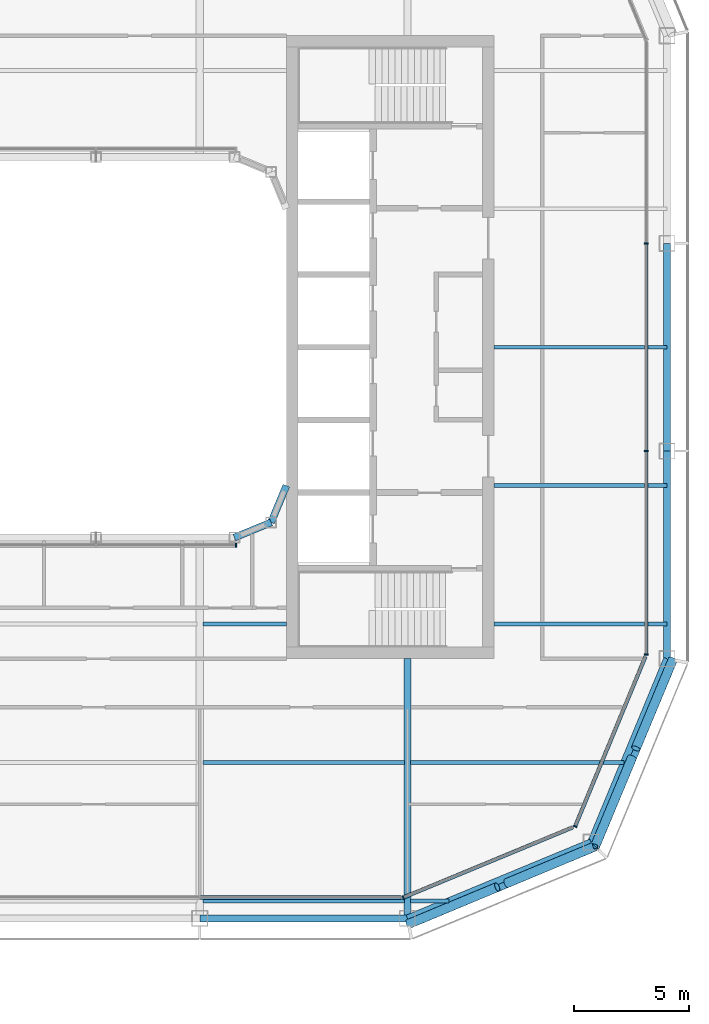
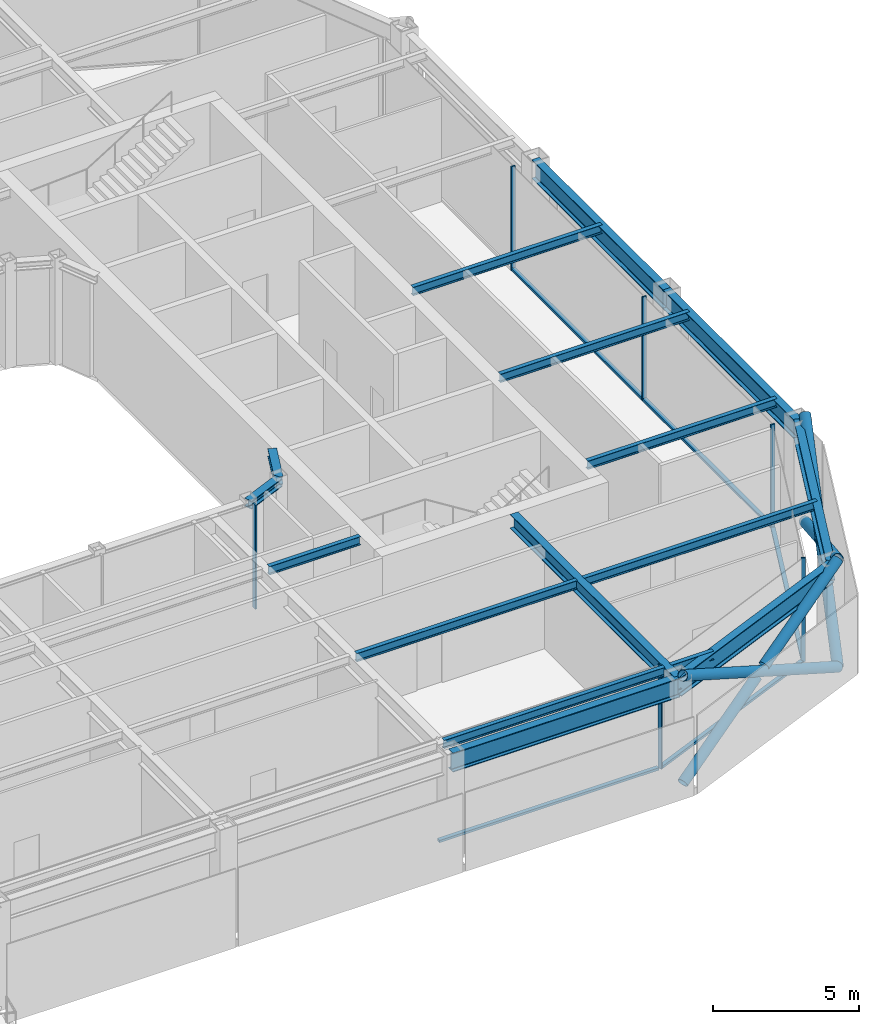
# One storey, part 6 of 21: 17 members, 16 beams, 5 elements without a shape of their own.
"""IFC4 building model written with IfcOpenShell, lengths in metres."""

from ifc_helpers import new_model, si_unit, direction, frame, origin, origin_2d, place, context, subcontext, project, spatial, rectangle, hollow_circle, i_section, extrude, material, layer, layer_set, material_profile, profile_set, type_object, element, aggregate, save


model = new_model("IFC4")

# Units and contexts
model_context = context("Model", 3, precision=1e-05, world=origin(), true_north=direction((0.0, 1.0)))
body_context = subcontext(model_context, "Body", "Model", "MODEL_VIEW")
ifc_project = project(units=[si_unit("LENGTHUNIT", "METRE"), si_unit("AREAUNIT", "SQUARE_METRE"), si_unit("VOLUMEUNIT", "CUBIC_METRE"), si_unit("PLANEANGLEUNIT", "RADIAN"), si_unit("MASSUNIT", "GRAM", prefix="KILO")], contexts=[model_context])

# Site, building, storey
site_placement = place(None, origin())
site = spatial("IfcSite", under=ifc_project, at=site_placement, CompositionType="ELEMENT")
building_placement = place(site_placement, origin())
building = spatial("IfcBuilding", under=site, at=building_placement, Name="Siwar Civic Tower", CompositionType="ELEMENT")
storey_placement = place(building_placement, frame((0.0, 0.0, 334.699951171875)))
storey = spatial("IfcBuildingStorey", under=building, at=storey_placement, Name="L72", CompositionType="ELEMENT", Elevation=334.699951171875)

# Curtain wall, member
ifc_material_1 = material(Name="Aluminium clad insulated panel", Category="aluminium")
ifc_layer_1 = layer(ifc_material_1, 0.159912109375)
ifc_layer_set_1 = layer_set([ifc_layer_1], Name="Aluminium clad insulated panel")
curtain_wall_type_1 = type_object("IfcCurtainWallType", Name="ENV-CW-DX", PredefinedType="NOTDEFINED", material=ifc_layer_set_1)
curtain_wall_1_placement = place(storey_placement, origin())
curtain_wall_1 = element("IfcCurtainWall", 1, at=curtain_wall_1_placement, inside=storey, type_object=curtain_wall_type_1, Name="Curtain wall D SE1", PredefinedType="NOTDEFINED")
ifc_material_2 = material(Name="Aluminium 6063-T6", Category="aluminium")
ifc_material_profile_1 = material_profile(ifc_material_2, rectangle(XDim=0.159912109375, YDim=0.06005859375, at=origin_2d()), Name="AL 160x60")
ifc_profile_set_1 = profile_set([ifc_material_profile_1], Name="Aluminium 6063-T6")
member_type_1 = type_object("IfcMemberType", Name="ENV-MULLION-D", PredefinedType="MULLION", material=ifc_profile_set_1)
member_1_placement = place(storey_placement, frame((13.321044921875, -23.85009765625, 0.0), z_axis=(0.0, 0.0, 1.0), x_axis=(-0.382683432365, 0.923879532511, 0.0)))
member_1 = element("IfcMember", 2, at=member_1_placement, type_object=member_type_1, Name="Mullion D SE1 1", PredefinedType="MULLION", context=body_context, shape_type="SweptSolid", body=[
    extrude(rectangle(XDim=0.159912109375, YDim=0.06005859375, at=origin_2d()), origin(), (0.0, 0.0, 1.0), 4.35009765625),
])

curtain_wall_2_placement = place(storey_placement, origin())
curtain_wall_2 = element("IfcCurtainWall", 3, at=curtain_wall_2_placement, inside=storey, type_object=curtain_wall_type_1, Name="Curtain wall D SE2", PredefinedType="NOTDEFINED")
member_2_placement = place(storey_placement, frame((20.76611328125, -20.76611328125, 0.0), z_axis=(0.0, 0.0, 1.0), x_axis=(-0.923879532511, 0.382683432365, 0.0)))
member_2 = element("IfcMember", 4, at=member_2_placement, type_object=member_type_1, Name="Mullion D SE2 1", PredefinedType="MULLION", context=body_context, shape_type="SweptSolid", body=[
    extrude(rectangle(XDim=0.159912109375, YDim=0.06005859375, at=origin_2d()), origin(), (0.0, 0.0, 1.0), 4.35009765625),
])

# Curtain wall, members
ifc_material_3 = material(Name="Aluminium and glass", Category="aluminium")
ifc_layer_2 = layer(ifc_material_3, 0.159912109375)
ifc_layer_set_2 = layer_set([ifc_layer_2], Name="Aluminium and glass")
curtain_wall_type_2 = type_object("IfcCurtainWallType", Name="ENV-CW-D", PredefinedType="NOTDEFINED", material=ifc_layer_set_2)
curtain_wall_3_placement = place(storey_placement, origin())
curtain_wall_3 = element("IfcCurtainWall", 5, at=curtain_wall_3_placement, inside=storey, type_object=curtain_wall_type_2, Name="Curtain wall D E", PredefinedType="NOTDEFINED")
member_3_placement = place(storey_placement, frame((23.85009765625, -13.321044921875, 0.0), z_axis=(0.0, 0.0, 1.0), x_axis=(-1.0, 0.0, 0.0)))
member_3 = element("IfcMember", 6, at=member_3_placement, type_object=member_type_1, Name="Mullion D E 1", PredefinedType="MULLION", context=body_context, shape_type="SweptSolid", body=[
    extrude(rectangle(XDim=0.159912109375, YDim=0.06005859375, at=origin_2d()), origin(), (0.0, 0.0, 1.0), 4.35009765625),
])
member_4_placement = place(storey_placement, frame((23.85009765625, -4.5, 0.0), z_axis=(0.0, 0.0, 1.0), x_axis=(-1.0, 0.0, 0.0)))
member_4 = element("IfcMember", 7, at=member_4_placement, type_object=member_type_1, Name="Mullion D E 2", PredefinedType="MULLION", context=body_context, shape_type="SweptSolid", body=[
    extrude(rectangle(XDim=0.159912109375, YDim=0.06005859375, at=origin_2d()), origin(), (0.0, 0.0, 1.0), 4.35009765625),
])
member_5_placement = place(storey_placement, frame((23.85009765625, 4.5, 0.0), z_axis=(0.0, 0.0, 1.0), x_axis=(-1.0, 0.0, 0.0)))
member_5 = element("IfcMember", 8, at=member_5_placement, type_object=member_type_1, Name="Mullion D E 3", PredefinedType="MULLION", context=body_context, shape_type="SweptSolid", body=[
    extrude(rectangle(XDim=0.159912109375, YDim=0.06005859375, at=origin_2d()), origin(), (0.0, 0.0, 1.0), 4.35009765625),
])

# Curtain wall, member
ifc_material_4 = material(Name="Aluminium and glass", Category="aluminium")
ifc_layer_3 = layer(ifc_material_4, 0.179931640625)
ifc_layer_set_3 = layer_set([ifc_layer_3], Name="Aluminium and glass")
curtain_wall_type_3 = type_object("IfcCurtainWallType", Name="ENV-CW-W", PredefinedType="NOTDEFINED", material=ifc_layer_set_3)
curtain_wall_4_placement = place(storey_placement, origin())
curtain_wall_4 = element("IfcCurtainWall", 9, at=curtain_wall_4_placement, inside=storey, type_object=curtain_wall_type_3, Name="Curtain wall W WS", PredefinedType="NOTDEFINED")
ifc_material_5 = material(Name="Aluminium 6063-T6", Category="aluminium")
ifc_material_profile_2 = material_profile(ifc_material_5, rectangle(XDim=0.179931640625, YDim=0.06005859375, at=origin_2d()), Name="AL 180x60")
ifc_profile_set_2 = profile_set([ifc_material_profile_2], Name="Aluminium 6063-T6")
member_type_2 = type_object("IfcMemberType", Name="ENV-MULLION-W", PredefinedType="MULLION", material=ifc_profile_set_2)
member_6_placement = place(storey_placement, frame((6.066650390625, -8.5849609375, 0.0), z_axis=(0.0, 0.0, 1.0), x_axis=(0.0, 1.0, 0.0)))
member_6 = element("IfcMember", 10, at=member_6_placement, type_object=member_type_2, Name="Mullion W WS 3", PredefinedType="MULLION", context=body_context, shape_type="SweptSolid", body=[
    extrude(rectangle(XDim=0.179931640625, YDim=0.06005859375, at=origin_2d()), origin(), (0.0, 0.0, 1.0), 4.35009765625),
])
aggregate(curtain_wall_4, [member_6])

curtain_wall_5_placement = place(storey_placement, origin())
curtain_wall_5 = element("IfcCurtainWall", 11, at=curtain_wall_5_placement, inside=storey, type_object=curtain_wall_type_2, Name="Curtain wall D S", PredefinedType="NOTDEFINED")
ifc_material_6 = material(Name="Aluminium 6063-T6", Category="aluminium")
ifc_material_profile_3 = material_profile(ifc_material_6, rectangle(XDim=0.159912109375, YDim=0.10009765625, at=origin_2d()), Name="AL 160x100")
ifc_profile_set_3 = profile_set([ifc_material_profile_3], Name="Aluminium 6063-T6")
member_type_3 = type_object("IfcMemberType", Name="ENV-TRANSOM-D", PredefinedType="USERDEFINED", material=ifc_profile_set_3)
member_7_placement = place(storey_placement, frame((4.530029296875, -23.85009765625, 0.050048828125), z_axis=(1.0, 0.0, 0.0), x_axis=(0.0, 1.0, 0.0)))
member_7 = element("IfcMember", 12, at=member_7_placement, type_object=member_type_3, Name="Transom D S 3", ObjectType="TRANSOM", PredefinedType="USERDEFINED", context=body_context, shape_type="SweptSolid", body=[
    extrude(rectangle(XDim=0.159912109375, YDim=0.10009765625, at=origin_2d()), origin(), (0.0, 0.0, 1.0), 8.693115234375),
])
aggregate(curtain_wall_5, [member_7])

# Member
member_8_placement = place(storey_placement, frame((13.3486328125, -23.838623046875, 0.050048828125), z_axis=(0.923872756612, 0.382699790424, 0.0), x_axis=(-0.382699790424, 0.923872756612, 0.0)))
member_8 = element("IfcMember", 13, at=member_8_placement, type_object=member_type_3, Name="Transom D SE1 1", ObjectType="TRANSOM", PredefinedType="USERDEFINED", context=body_context, shape_type="SweptSolid", body=[
    extrude(rectangle(XDim=0.159912109375, YDim=0.10009765625, at=origin_2d()), origin(), (0.0, 0.0, 1.0), 7.930908203125),
])

aggregate(curtain_wall_1, [member_1, member_8])

member_9_placement = place(storey_placement, frame((20.777587890625, -20.738525390625, 0.050048828125), z_axis=(0.382673515031, 0.923883640343, 0.0), x_axis=(-0.923883640343, 0.382673515031, 0.0)))
member_9 = element("IfcMember", 14, at=member_9_placement, type_object=member_type_3, Name="Transom D SE2 1", ObjectType="TRANSOM", PredefinedType="USERDEFINED", context=body_context, shape_type="SweptSolid", body=[
    extrude(rectangle(XDim=0.159912109375, YDim=0.10009765625, at=origin_2d()), origin(), (0.0, 0.0, 1.0), 7.930908203125),
])

aggregate(curtain_wall_2, [member_2, member_9])

member_10_placement = place(storey_placement, frame((23.85009765625, -13.291015625, 0.050048828125), z_axis=(0.0, 1.0, 0.0), x_axis=(-1.0, 0.0, 0.0)))
member_10 = element("IfcMember", 15, at=member_10_placement, type_object=member_type_3, Name="Transom D E 1", ObjectType="TRANSOM", PredefinedType="USERDEFINED", context=body_context, shape_type="SweptSolid", body=[
    extrude(rectangle(XDim=0.159912109375, YDim=0.10009765625, at=origin_2d()), origin(), (0.0, 0.0, 1.0), 8.760986328125),
])

member_11_placement = place(storey_placement, frame((23.85009765625, -4.469970703125, 0.050048828125), z_axis=(0.0, 1.0, 0.0), x_axis=(-1.0, 0.0, 0.0)))
member_11 = element("IfcMember", 16, at=member_11_placement, type_object=member_type_3, Name="Transom D E 2", ObjectType="TRANSOM", PredefinedType="USERDEFINED", context=body_context, shape_type="SweptSolid", body=[
    extrude(rectangle(XDim=0.159912109375, YDim=0.10009765625, at=origin_2d()), origin(), (0.0, 0.0, 1.0), 8.93994140625),
])

aggregate(curtain_wall_3, [member_3, member_4, member_5, member_10, member_11])

# Members
ifc_material_7 = material(Name="Steel S355", Category="steel")
ifc_material_profile_4 = material_profile(ifc_material_7, hollow_circle(Radius=0.203125, WallThickness=0.01611328125, at=origin_2d()), Name="CHS406.4x16")
ifc_profile_set_4 = profile_set([ifc_material_profile_4], Name="Steel S355")
member_type_4 = type_object("IfcMemberType", Name="STR-BR-CHS406.4x16", PredefinedType="BRACE", material=ifc_profile_set_4)
member_12_placement = place(storey_placement, frame((21.6318359375, -21.6318359375, 0.0), z_axis=(0.341671493852, 0.821142553604, 0.457149315816), x_axis=(-0.923264922524, 0.384163874976, 0.0)))
element("IfcMember", 17, at=member_12_placement, inside=storey, type_object=member_type_4, Name="L72/brc/DSE1-11-0-1", PredefinedType="BRACE", context=body_context, shape_type="SweptSolid", body=[
    extrude(hollow_circle(Radius=0.203125, WallThickness=0.01611328125, at=origin_2d()), origin(), (0.0, 0.0, 1.0), 9.843505859375),
])
for number, where, z_axis, x_axis, name in (
    (18, (24.9951171875, -13.548828125, 0.0), (-0.341659024948, -0.821130093572, 0.45718101459), (0.923267827529, -0.384156893273, 0.0), "L72/brc/DSE1-11-0-2"),
    (19, (23.229736328125, -17.791259765625, 2.362060546875), (-0.341652533125, -0.821166691915, 0.457120127208), (0.923276488787, -0.38413607648, 0.0), "L72/brc/DSE1-11-0-3"),
):
    element("IfcMember", number, at=place(storey_placement, frame(where, z_axis=z_axis, x_axis=x_axis)), inside=storey, type_object=member_type_4, Name=name, PredefinedType="BRACE", context=body_context, shape_type="SweptSolid", body=[
        extrude(hollow_circle(Radius=0.203125, WallThickness=0.01611328125, at=origin_2d()), origin(), (0.0, 0.0, 1.0), 4.677001953125),
    ])
member_13_placement = place(storey_placement, frame((21.6318359375, -21.6318359375, 0.0), z_axis=(-0.821142553604, -0.341671493852, 0.457149315816), x_axis=(0.384163874976, -0.923264922524, 0.0)))
element("IfcMember", 20, at=member_13_placement, inside=storey, type_object=member_type_4, Name="L72/brc/DSE1-11-0-0", PredefinedType="BRACE", context=body_context, shape_type="SweptSolid", body=[
    extrude(hollow_circle(Radius=0.203125, WallThickness=0.01611328125, at=origin_2d()), origin(), (0.0, 0.0, 1.0), 9.843505859375),
])
for number, where, z_axis, x_axis, name in (
    (21, (13.548828125, -24.9951171875, 0.0), (0.821130093572, 0.341659024948, 0.45718101459), (-0.384156893273, 0.923267827529, 0.0), "L72/brc/DSE1-11-0-4"),
    (22, (17.791259765625, -23.229736328125, 2.362060546875), (0.821166691915, 0.341652533125, 0.457120127208), (-0.38413607648, 0.923276488787, 0.0), "L72/brc/DSE1-11-0-5"),
):
    element("IfcMember", number, at=place(storey_placement, frame(where, z_axis=z_axis, x_axis=x_axis)), inside=storey, type_object=member_type_4, Name=name, PredefinedType="BRACE", context=body_context, shape_type="SweptSolid", body=[
        extrude(hollow_circle(Radius=0.203125, WallThickness=0.01611328125, at=origin_2d()), origin(), (0.0, 0.0, 1.0), 4.677001953125),
    ])

# Beams
ifc_material_8 = material(Name="Steel S355", Category="steel")
ifc_material_profile_5 = material_profile(ifc_material_8, i_section(OverallWidth=0.169921875, OverallDepth=0.360107421875, WebThickness=0.008056640625, FlangeThickness=0.0126953125, FilletRadius=0.01806640625, at=origin_2d()), Name="IPE360")
ifc_profile_set_5 = profile_set([ifc_material_profile_5], Name="Steel S355")
beam_type_1 = type_object("IfcBeamType", Name="STR-FB-IPE360", PredefinedType="JOIST", material=ifc_profile_set_5)
beam_1_placement = place(storey_placement, frame((4.6298828125, -24.0, 4.170166015625), z_axis=(1.0, 0.0, 0.0), x_axis=(0.0, 1.0, 0.0)))
element("IfcBeam", 23, at=beam_1_placement, inside=storey, type_object=beam_type_1, Name="L72/bm/F004", PredefinedType="JOIST", context=body_context, shape_type="SweptSolid", body=[
    extrude(i_section(OverallWidth=0.169921875, OverallDepth=0.360107421875, WebThickness=0.008056640625, FlangeThickness=0.0126953125, FilletRadius=0.01806640625, at=origin_2d()), origin(), (0.0, 0.0, 1.0), 8.740234375),
])
beam_2_placement = place(storey_placement, frame((13.6298828125, -24.0, 4.170166015625), z_axis=(1.0, 0.0, 0.0), x_axis=(0.0, 1.0, 0.0)))
element("IfcBeam", 24, at=beam_2_placement, inside=storey, type_object=beam_type_1, Name="L72/bm/F005", PredefinedType="JOIST", context=body_context, shape_type="SweptSolid", body=[
    extrude(i_section(OverallWidth=0.169921875, OverallDepth=0.360107421875, WebThickness=0.008056640625, FlangeThickness=0.0126953125, FilletRadius=0.01806640625, at=origin_2d()), origin(), (0.0, 0.0, 1.0), 1.6806640625),
])
beam_3_placement = place(storey_placement, frame((4.6298828125, -18.0, 4.170166015625), z_axis=(1.0, 0.0, 0.0), x_axis=(0.0, 1.0, 0.0)))
element("IfcBeam", 25, at=beam_3_placement, inside=storey, type_object=beam_type_1, Name="L72/bm/F009", PredefinedType="JOIST", context=body_context, shape_type="SweptSolid", body=[
    extrude(i_section(OverallWidth=0.169921875, OverallDepth=0.360107421875, WebThickness=0.008056640625, FlangeThickness=0.0126953125, FilletRadius=0.01806640625, at=origin_2d()), origin(), (0.0, 0.0, 1.0), 8.740234375),
])
beam_4_placement = place(storey_placement, frame((13.6298828125, -18.0, 4.170166015625), z_axis=(1.0, 0.0, 0.0), x_axis=(0.0, 1.0, 0.0)))
element("IfcBeam", 26, at=beam_4_placement, inside=storey, type_object=beam_type_1, Name="L72/bm/F010", PredefinedType="JOIST", context=body_context, shape_type="SweptSolid", body=[
    extrude(i_section(OverallWidth=0.169921875, OverallDepth=0.360107421875, WebThickness=0.008056640625, FlangeThickness=0.0126953125, FilletRadius=0.01806640625, at=origin_2d()), origin(), (0.0, 0.0, 1.0), 9.256103515625),
])
beam_5_placement = place(storey_placement, frame((4.6298828125, -12.0, 4.170166015625), z_axis=(1.0, 0.0, 0.0), x_axis=(0.0, 1.0, 0.0)))
element("IfcBeam", 27, at=beam_5_placement, inside=storey, type_object=beam_type_1, Name="L72/bm/F014", PredefinedType="JOIST", context=body_context, shape_type="SweptSolid", body=[
    extrude(i_section(OverallWidth=0.169921875, OverallDepth=0.360107421875, WebThickness=0.008056640625, FlangeThickness=0.0126953125, FilletRadius=0.01806640625, at=origin_2d()), origin(), (0.0, 0.0, 1.0), 3.6201171875),
])
for number, where, z_axis, x_axis, name in (
    (28, (17.25, -12.0, 4.170166015625), (1.0, 0.0, 0.0), (0.0, 1.0, 0.0), "L72/bm/F015"),
    (29, (17.25, -6.0, 4.170166015625), (1.0, 0.0, 0.0), (0.0, 1.0, 0.0), "L72/bm/F017"),
    (30, (17.25, 0.0, 4.170166015625), (1.0, 0.0, 0.0), (0.0, 1.0, 0.0), "L72/bm/F019"),
):
    element("IfcBeam", number, at=place(storey_placement, frame(where, z_axis=z_axis, x_axis=x_axis)), inside=storey, type_object=beam_type_1, Name=name, PredefinedType="JOIST", context=body_context, shape_type="SweptSolid", body=[
        extrude(i_section(OverallWidth=0.169921875, OverallDepth=0.360107421875, WebThickness=0.008056640625, FlangeThickness=0.0126953125, FilletRadius=0.01806640625, at=origin_2d()), origin(), (0.0, 0.0, 1.0), 7.5),
    ])
ifc_material_9 = material(Name="Steel S355", Category="steel")
ifc_material_profile_6 = material_profile(ifc_material_9, i_section(OverallWidth=0.300048828125, OverallDepth=0.60009765625, WebThickness=0.015380859375, FlangeThickness=0.030029296875, FilletRadius=0.027099609375, at=origin_2d()), Name="HEB600")
ifc_profile_set_6 = profile_set([ifc_material_profile_6], Name="Steel S355")
beam_type_2 = type_object("IfcBeamType", Name="STR-PG-HEB600", PredefinedType="BEAM", material=ifc_profile_set_6)
beam_6_placement = place(storey_placement, frame((13.5, -24.75, 4.050048828125), z_axis=(0.0, 1.0, 0.0), x_axis=(-1.0, 0.0, 0.0)))
element("IfcBeam", 31, at=beam_6_placement, inside=storey, type_object=beam_type_2, Name="L72/bm/G07", PredefinedType="BEAM", context=body_context, shape_type="SweptSolid", body=[
    extrude(i_section(OverallWidth=0.300048828125, OverallDepth=0.60009765625, WebThickness=0.015380859375, FlangeThickness=0.030029296875, FilletRadius=0.027099609375, at=origin_2d()), origin(), (0.0, 0.0, 1.0), 11.25),
])
ifc_material_10 = material(Name="Steel S355", Category="steel")
ifc_material_profile_7 = material_profile(ifc_material_10, i_section(OverallWidth=0.31005859375, OverallDepth=0.340087890625, WebThickness=0.02099609375, FlangeThickness=0.0390625, FilletRadius=0.027099609375, at=origin_2d()), Name="HEM300")
ifc_profile_set_7 = profile_set([ifc_material_profile_7], Name="Steel S355")
beam_type_3 = type_object("IfcBeamType", Name="STR-RB-HEM300", PredefinedType="BEAM", material=ifc_profile_set_7)
for number, where, z_axis, x_axis, name in (
    (32, (6.0, -8.25, 4.179931640625), (0.923901072997, 0.382631424892, 0.0), (-0.382631424892, 0.923901072997, 0.0), "L72/bm/RS3"),
    (33, (7.591064453125, -7.591064453125, 4.179931640625), (0.382631424892, 0.923901072997, 0.0), (-0.923901072997, 0.382631424892, 0.0), "L72/bm/RSEE"),
):
    element("IfcBeam", number, at=place(storey_placement, frame(where, z_axis=z_axis, x_axis=x_axis)), inside=storey, type_object=beam_type_3, Name=name, PredefinedType="BEAM", context=body_context, shape_type="SweptSolid", body=[
        extrude(i_section(OverallWidth=0.31005859375, OverallDepth=0.340087890625, WebThickness=0.02099609375, FlangeThickness=0.0390625, FilletRadius=0.027099609375, at=origin_2d()), origin(), (0.0, 0.0, 1.0), 1.72216796875),
    ])
ifc_material_11 = material(Name="Steel S355", Category="steel")
ifc_material_profile_8 = material_profile(ifc_material_11, i_section(OverallWidth=0.300048828125, OverallDepth=0.800048828125, WebThickness=0.017578125, FlangeThickness=0.032958984375, FilletRadius=0.030029296875, at=origin_2d()), Name="HEB800")
ifc_profile_set_8 = profile_set([ifc_material_profile_8], Name="Steel S355")
beam_type_4 = type_object("IfcBeamType", Name="STR-SB-HEB800", PredefinedType="BEAM", material=ifc_profile_set_8)
beam_7_placement = place(storey_placement, frame((4.5, -24.75, 3.949951171875), z_axis=(1.0, 0.0, 0.0), x_axis=(0.0, 1.0, 0.0)))
element("IfcBeam", 34, at=beam_7_placement, inside=storey, type_object=beam_type_4, Name="L72/bm/SS-2", PredefinedType="BEAM", context=body_context, shape_type="SweptSolid", body=[
    extrude(i_section(OverallWidth=0.300048828125, OverallDepth=0.800048828125, WebThickness=0.017578125, FlangeThickness=0.032958984375, FilletRadius=0.030029296875, at=origin_2d()), origin(), (0.0, 0.0, 1.0), 9.0),
])
for number, where, z_axis, x_axis, name in (
    (35, (13.5, -24.75, 3.949951171875), (0.923872720536, 0.382699877515, 0.0), (-0.382699877515, 0.923872720536, 0.0), "L72/bm/SSE1-0"),
    (36, (21.454833984375, -21.454833984375, 3.949951171875), (0.382699877515, 0.923872720536, 0.0), (-0.923872720536, 0.382699877515, 0.0), "L72/bm/SSE2-0"),
):
    element("IfcBeam", number, at=place(storey_placement, frame(where, z_axis=z_axis, x_axis=x_axis)), inside=storey, type_object=beam_type_4, Name=name, PredefinedType="BEAM", context=body_context, shape_type="SweptSolid", body=[
        extrude(i_section(OverallWidth=0.300048828125, OverallDepth=0.800048828125, WebThickness=0.017578125, FlangeThickness=0.032958984375, FilletRadius=0.030029296875, at=origin_2d()), origin(), (0.0, 0.0, 1.0), 8.6103515625),
    ])
for number, where, z_axis, x_axis, name in (
    (37, (24.75, -13.5, 3.949951171875), (0.0, 1.0, 0.0), (-1.0, 0.0, 0.0), "L72/bm/SE-0"),
    (38, (24.75, -4.5, 3.949951171875), (0.0, 1.0, 0.0), (-1.0, 0.0, 0.0), "L72/bm/SE-1"),
):
    element("IfcBeam", number, at=place(storey_placement, frame(where, z_axis=z_axis, x_axis=x_axis)), inside=storey, type_object=beam_type_4, Name=name, PredefinedType="BEAM", context=body_context, shape_type="SweptSolid", body=[
        extrude(i_section(OverallWidth=0.300048828125, OverallDepth=0.800048828125, WebThickness=0.017578125, FlangeThickness=0.032958984375, FilletRadius=0.030029296875, at=origin_2d()), origin(), (0.0, 0.0, 1.0), 9.0),
    ])

save(model, "model.ifc")
